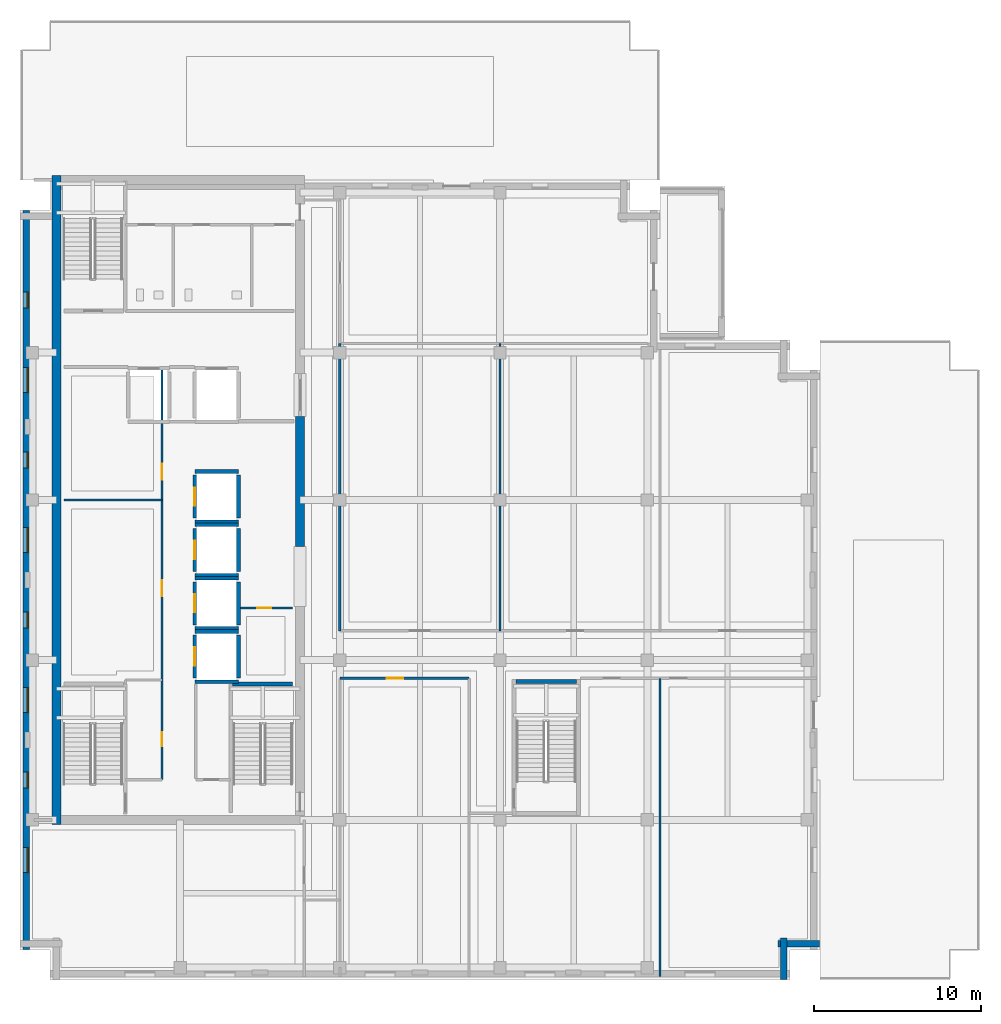
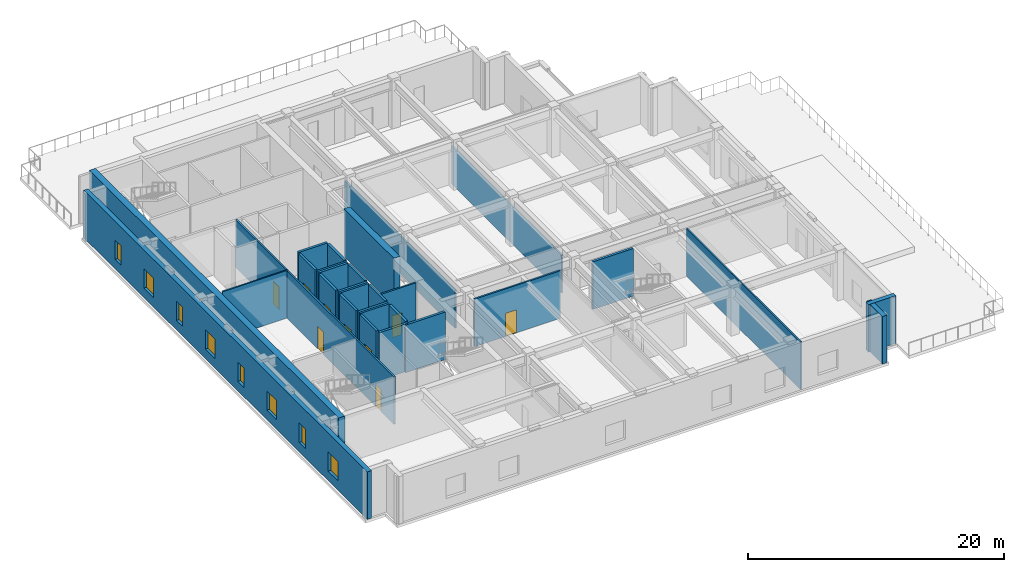
# One storey, part 4 of 11: 30 walls, 9 doors, 8 windows, 17 openings.
"""IFC4 building model written with IfcOpenShell, lengths in metres."""

from ifc_helpers import new_model, si_unit, direction, frame, frame_2d, origin, place, context, subcontext, project, spatial, rectangle, extrude, material, layer, layer_set, type_object, element, fill, save


model = new_model("IFC4")

# Units and contexts
model_context = context("Model", 3, precision=1e-05, world=origin(), true_north=direction((0.0, 1.0)))
body_context = subcontext(model_context, "Body", "Model", "MODEL_VIEW")
ifc_project = project(units=[si_unit("LENGTHUNIT", "METRE"), si_unit("AREAUNIT", "SQUARE_METRE"), si_unit("VOLUMEUNIT", "CUBIC_METRE"), si_unit("PLANEANGLEUNIT", "RADIAN"), si_unit("MASSUNIT", "GRAM", prefix="KILO")], contexts=[model_context])

# Site, building, storey
site_placement = place(None, origin())
site = spatial("IfcSite", under=ifc_project, at=site_placement, CompositionType="ELEMENT")
building_placement = place(site_placement, origin())
building = spatial("IfcBuilding", under=site, at=building_placement, Name="Norrvale University Quadrangle", CompositionType="ELEMENT")
storey_placement = place(building_placement, frame((0.0, 0.0, 261.0)))
storey = spatial("IfcBuildingStorey", under=building, at=storey_placement, Name="L66", CompositionType="ELEMENT", Elevation=261.0)

# Walls
ifc_material_1 = material(Name="Concrete C60/75", Category="concrete")
ifc_layer_1 = layer(ifc_material_1, 0.550048828125, Name="Concrete C60/75")
ifc_layer_set_1 = layer_set([ifc_layer_1], Name="Concrete C60/75")
wall_type_1 = type_object("IfcWallType", Name="Wall Core 550", PredefinedType="SHEAR", material=ifc_layer_set_1)
wall_1_placement = place(storey_placement, frame((2.199951171875, 9.324951171875, 0.0), z_axis=(0.0, 0.0, 1.0), x_axis=(0.0, 1.0, 0.0)))
element("IfcWall", 1, at=wall_1_placement, inside=storey, type_object=wall_type_1, Name="Tower Core Shear Wall L66-W", PredefinedType="SHEAR", context=body_context, shape_type="SweptSolid", body=[
    extrude(rectangle(XDim=38.949951171875, YDim=0.550048828125, at=frame_2d((19.47509765625, 0.0))), origin(), (0.0, 0.0, 1.0), 4.5400390625),
])
wall_2_placement = place(storey_placement, frame((16.800048828125, 26.0, 0.0), z_axis=(0.0, 0.0, 1.0), x_axis=(0.0, 1.0, 0.0)))
element("IfcWall", 2, at=wall_2_placement, inside=storey, type_object=wall_type_1, Name="Tower Core Shear Wall L66-E2", PredefinedType="SHEAR", context=body_context, shape_type="SweptSolid", body=[
    extrude(rectangle(XDim=7.800048828125, YDim=0.550048828125, at=frame_2d((3.89990234375, 0.0))), origin(), (0.0, 0.0, 1.0), 4.5400390625),
])
ifc_material_2 = material(Name="Standard Academic Gypsum Partition")
ifc_layer_2 = layer(ifc_material_2, 0.125, Name="Standard Academic Gypsum Partition")
ifc_layer_set_2 = layer_set([ifc_layer_2], Name="Standard Academic Gypsum Partition")
wall_type_2 = type_object("IfcWallType", Name="Wall Gypsum Academic 125", PredefinedType="PARTITIONING", material=ifc_layer_set_2)
wall_3_placement = place(storey_placement, frame((2.64990234375, 28.800048828125, 0.0), z_axis=(0.0, 0.0, 1.0), x_axis=(1.0, 0.0, 0.0)))
element("IfcWall", 3, at=wall_3_placement, inside=storey, type_object=wall_type_2, Name="Interior Partition WL-L66-REC-M2", PredefinedType="PARTITIONING", context=body_context, shape_type="SweptSolid", body=[
    extrude(rectangle(XDim=5.8701171875, YDim=0.125, at=frame_2d((2.93505859375, 0.0))), origin(), (0.0, 0.0, 1.0), 4.5400390625),
])
wall_4_placement = place(storey_placement, frame((38.39990234375, 0.219970703125, 0.0), z_axis=(0.0, 0.0, 1.0), x_axis=(0.0, 1.0, 0.0)))
element("IfcWall", 4, at=wall_4_placement, inside=storey, type_object=wall_type_2, Name="Interior Partition WL-L66-SEP2", PredefinedType="PARTITIONING", context=body_context, shape_type="SweptSolid", body=[
    extrude(rectangle(XDim=17.880126953125, YDim=0.125, at=frame_2d((8.93994140625, 0.0))), origin(), (0.0, 0.0, 1.0), 4.5400390625),
])
wall_5_placement = place(storey_placement, frame((28.800048828125, 20.949951171875, 0.0), z_axis=(0.0, 0.0, 1.0), x_axis=(0.0, 1.0, 0.0)))
element("IfcWall", 5, at=wall_5_placement, inside=storey, type_object=wall_type_2, Name="Interior Partition WL-L66-MEP01", PredefinedType="PARTITIONING", context=body_context, shape_type="SweptSolid", body=[
    extrude(rectangle(XDim=17.22998046875, YDim=0.125, at=frame_2d((8.614990234375, 0.0))), origin(), (0.0, 0.0, 1.0), 3.6279296875),
])

# Wall, opening, door
ifc_material_3 = material(Name="Fire-Rated Gypsum Stud Partition")
ifc_layer_3 = layer(ifc_material_3, 0.14990234375, Name="Fire-Rated Gypsum Stud Partition")
ifc_layer_set_3 = layer_set([ifc_layer_3], Name="Fire-Rated Gypsum Stud Partition")
wall_type_3 = type_object("IfcWallType", Name="Wall Gypsum Corridor 150", PredefinedType="PARTITIONING", material=ifc_layer_set_3)
wall_6_placement = place(storey_placement, frame((13.22509765625, 22.320068359375, 0.0), z_axis=(0.0, 0.0, 1.0), x_axis=(1.0, 0.0, 0.0)))
wall_6 = element("IfcWall", 6, at=wall_6_placement, inside=storey, type_object=wall_type_3, Name="Interior Partition WL-L66-JAN-N", PredefinedType="PARTITIONING", context=body_context, shape_type="SweptSolid", body=[
    extrude(rectangle(XDim=3.119873046875, YDim=0.14990234375, at=frame_2d((1.56005859375, 0.0))), origin(), (0.0, 0.0, 1.0), 4.5400390625),
])
opening_1_placement = place(wall_6_placement, frame((1.0, 0.0, 0.0)))
opening_1 = element("IfcOpeningElement", 7, at=opening_1_placement, cuts=wall_6, Name="Opening D10", PredefinedType="OPENING", context=body_context, shape_type="SweptSolid", body=[
    extrude(rectangle(XDim=0.85009765625, YDim=2.10009765625, at=frame_2d((0.425048828125, 1.050048828125))), frame((0.0, 0.0869140625, 0.0), z_axis=(0.0, -1.0, 0.0), x_axis=(1.0, 0.0, 0.0)), (0.0, 0.0, 1.0), 0.173828125),
])
ifc_material_4 = material(Name="Hollow Steel 350W Riser Fire Door", Category="steel")
door_type_1 = type_object("IfcDoorType", Name="Door Riser 850x2100", OperationType="NOTDEFINED", PredefinedType="DOOR", material=ifc_material_4)
door_1_placement = place(opening_1_placement, origin())
door_1 = element("IfcDoor", 8, at=door_1_placement, inside=storey, type_object=door_type_1, Name="Door Riser 850x2100 DR-L66-JAN", OperationType="SINGLE_SWING_LEFT", OverallHeight=2.10009765625, OverallWidth=0.85009765625, PredefinedType="DOOR", context=body_context, shape_type="SweptSolid", body=[
    extrude(rectangle(XDim=0.85009765625, YDim=2.10009765625, at=frame_2d((0.425048828125, 1.050048828125))), frame((0.0, 0.02490234375, 0.0), z_axis=(0.0, -1.0, 0.0), x_axis=(1.0, 0.0, 0.0)), (0.0, 0.0, 1.0), 0.050048828125),
])
fill(opening_1, door_1)

# Wall, openings, doors
wall_7_placement = place(storey_placement, frame((8.52001953125, 12.02001953125, 0.0), z_axis=(0.0, 0.0, 1.0), x_axis=(0.0, 1.0, 0.0)))
wall_7 = element("IfcWall", 9, at=wall_7_placement, inside=storey, type_object=wall_type_3, Name="Interior Partition WL-L66-REC-E", PredefinedType="PARTITIONING", context=body_context, shape_type="SweptSolid", body=[
    extrude(rectangle(XDim=24.760009765625, YDim=0.14990234375, at=frame_2d((12.3798828125, 0.0))), origin(), (0.0, 0.0, 1.0), 4.5400390625),
])
opening_2_placement = place(wall_7_placement, frame((2.0, 0.0, 0.0)))
opening_2 = element("IfcOpeningElement", 10, at=opening_2_placement, cuts=wall_7, Name="Opening D10", PredefinedType="OPENING", context=body_context, shape_type="SweptSolid", body=[
    extrude(rectangle(XDim=0.85009765625, YDim=2.10009765625, at=frame_2d((0.425048828125, 1.050048828125))), frame((0.0, 0.0869140625, 0.0), z_axis=(0.0, -1.0, 0.0), x_axis=(1.0, 0.0, 0.0)), (0.0, 0.0, 1.0), 0.173828125),
])
opening_3_placement = place(wall_7_placement, frame((11.0, 0.0, 0.0)))
opening_3 = element("IfcOpeningElement", 11, at=opening_3_placement, cuts=wall_7, Name="Opening D07", PredefinedType="OPENING", context=body_context, shape_type="SweptSolid", body=[
    extrude(rectangle(XDim=0.949951171875, YDim=2.14990234375, at=frame_2d((0.47509765625, 1.074951171875))), frame((0.0, 0.0869140625, 0.0), z_axis=(0.0, -1.0, 0.0), x_axis=(1.0, 0.0, 0.0)), (0.0, 0.0, 1.0), 0.173828125),
])
opening_4_placement = place(wall_7_placement, frame((18.0, 0.0, 0.0)))
opening_4 = element("IfcOpeningElement", 12, at=opening_4_placement, cuts=wall_7, Name="Opening D07", PredefinedType="OPENING", context=body_context, shape_type="SweptSolid", body=[
    extrude(rectangle(XDim=0.949951171875, YDim=2.14990234375, at=frame_2d((0.47509765625, 1.074951171875))), frame((0.0, 0.0869140625, 0.0), z_axis=(0.0, -1.0, 0.0), x_axis=(1.0, 0.0, 0.0)), (0.0, 0.0, 1.0), 0.173828125),
])
ifc_material_5 = material(Name="Solid-Core Maple Door", Category="wood")
door_type_2 = type_object("IfcDoorType", Name="Door Office 950x2150", OperationType="NOTDEFINED", PredefinedType="DOOR", material=ifc_material_5)
door_2_placement = place(opening_3_placement, origin())
door_2 = element("IfcDoor", 13, at=door_2_placement, inside=storey, type_object=door_type_2, Name="Door Office 950x2150 DR-L66-REC2", OperationType="SINGLE_SWING_RIGHT", OverallHeight=2.14990234375, OverallWidth=0.949951171875, PredefinedType="DOOR", context=body_context, shape_type="SweptSolid", body=[
    extrude(rectangle(XDim=0.949951171875, YDim=2.14990234375, at=frame_2d((0.47509765625, 1.074951171875))), frame((0.0, 0.02490234375, 0.0), z_axis=(0.0, -1.0, 0.0), x_axis=(1.0, 0.0, 0.0)), (0.0, 0.0, 1.0), 0.050048828125),
])
fill(opening_3, door_2)
door_3_placement = place(opening_4_placement, origin())
door_3 = element("IfcDoor", 14, at=door_3_placement, inside=storey, type_object=door_type_2, Name="Door Office 950x2150 DR-L66-REC3", OperationType="SINGLE_SWING_LEFT", OverallHeight=2.14990234375, OverallWidth=0.949951171875, PredefinedType="DOOR", context=body_context, shape_type="SweptSolid", body=[
    extrude(rectangle(XDim=0.949951171875, YDim=2.14990234375, at=frame_2d((0.47509765625, 1.074951171875))), frame((0.0, 0.02490234375, 0.0), z_axis=(0.0, -1.0, 0.0), x_axis=(1.0, 0.0, 0.0)), (0.0, 0.0, 1.0), 0.050048828125),
])
fill(opening_4, door_3)
door_4_placement = place(opening_2_placement, origin())
door_4 = element("IfcDoor", 15, at=door_4_placement, inside=storey, type_object=door_type_1, Name="Door Riser 850x2100 DR-L66-REC1", OperationType="SINGLE_SWING_LEFT", OverallHeight=2.10009765625, OverallWidth=0.85009765625, PredefinedType="DOOR", context=body_context, shape_type="SweptSolid", body=[
    extrude(rectangle(XDim=0.85009765625, YDim=2.10009765625, at=frame_2d((0.425048828125, 1.050048828125))), frame((0.0, 0.02490234375, 0.0), z_axis=(0.0, -1.0, 0.0), x_axis=(1.0, 0.0, 0.0)), (0.0, 0.0, 1.0), 0.050048828125),
])
fill(opening_2, door_4)

# Wall, opening, door
wall_8_placement = place(storey_placement, frame((19.199951171875, 18.10009765625, 0.0), z_axis=(0.0, 0.0, 1.0), x_axis=(1.0, 0.0, 0.0)))
wall_8 = element("IfcWall", 16, at=wall_8_placement, inside=storey, type_object=wall_type_3, Name="Interior Partition WL-L66-SEW1", PredefinedType="PARTITIONING", context=body_context, shape_type="SweptSolid", body=[
    extrude(rectangle(XDim=7.75, YDim=0.14990234375, at=frame_2d((3.875, 0.0))), origin(), (0.0, 0.0, 1.0), 4.5400390625),
])
opening_5_placement = place(wall_8_placement, frame((2.800048828125, 0.0, 0.0)))
opening_5 = element("IfcOpeningElement", 17, at=opening_5_placement, cuts=wall_8, Name="Opening D04", PredefinedType="OPENING", context=body_context, shape_type="SweptSolid", body=[
    extrude(rectangle(XDim=1.0, YDim=2.199951171875, at=frame_2d((0.5, 1.10009765625))), frame((0.0, 0.0869140625, 0.0), z_axis=(0.0, -1.0, 0.0), x_axis=(1.0, 0.0, 0.0)), (0.0, 0.0, 1.0), 0.173828125),
])
ifc_material_6 = material(Name="Solid-Core Oak Fire Door", Category="wood")
door_type_3 = type_object("IfcDoorType", Name="Door Corridor 1000x2200", OperationType="NOTDEFINED", PredefinedType="DOOR", material=ifc_material_6)
door_5_placement = place(opening_5_placement, origin())
door_5 = element("IfcDoor", 18, at=door_5_placement, inside=storey, type_object=door_type_3, Name="Door Corridor 1000x2200 DR-L66-SE1", OperationType="SINGLE_SWING_LEFT", OverallHeight=2.199951171875, OverallWidth=1.0, PredefinedType="DOOR", context=body_context, shape_type="SweptSolid", body=[
    extrude(rectangle(XDim=1.0, YDim=2.199951171875, at=frame_2d((0.5, 1.10009765625))), frame((0.0, 0.02490234375, 0.0), z_axis=(0.0, -1.0, 0.0), x_axis=(1.0, 0.0, 0.0)), (0.0, 0.0, 1.0), 0.050048828125),
])
fill(opening_5, door_5)

# Walls
wall_9_placement = place(storey_placement, frame((19.199951171875, 20.949951171875, 0.0), z_axis=(0.0, 0.0, 1.0), x_axis=(0.0, 1.0, 0.0)))
element("IfcWall", 19, at=wall_9_placement, inside=storey, type_object=wall_type_3, Name="Interior Partition WL-L66-ME-W", PredefinedType="PARTITIONING", context=body_context, shape_type="SweptSolid", body=[
    extrude(rectangle(XDim=17.22998046875, YDim=0.14990234375, at=frame_2d((8.614990234375, 0.0))), origin(), (0.0, 0.0, 1.0), 3.6279296875),
])
ifc_material_7 = material(Name="Red Manganese Brick Masonry", Category="masonry")
ifc_layer_4 = layer(ifc_material_7, 0.39990234375, Name="Red Manganese Brick Masonry")
ifc_layer_set_4 = layer_set([ifc_layer_4], Name="Red Manganese Brick Masonry")
wall_type_4 = type_object("IfcWallType", Name="Wall Red Brick 400", PredefinedType="SOLIDWALL", material=ifc_layer_set_4)
for number, where, z_axis, x_axis, name in (
    (20, (45.820068359375, 0.0400390625, 0.0), (0.0, 0.0, 1.0), (0.0, 1.0, 0.0), "Exterior Brick Facade Wall L66-02.1"),
    (21, (45.47998046875, 2.179931640625, 0.0), (0.0, 0.0, 1.0), (1.0, 0.0, 0.0), "Exterior Brick Facade Wall L66-03.1"),
):
    element("IfcWall", number, at=place(storey_placement, frame(where, z_axis=z_axis, x_axis=x_axis)), inside=storey, type_object=wall_type_4, Name=name, PredefinedType="SOLIDWALL", context=body_context, shape_type="SweptSolid", body=[
        extrude(rectangle(XDim=2.47998046875, YDim=0.39990234375, at=frame_2d((1.239990234375, 0.0))), origin(), (0.0, 0.0, 1.0), 4.5400390625),
    ])

# Wall, openings, windows
wall_10_placement = place(storey_placement, frame((0.3798828125, 46.159912109375, 0.0), z_axis=(0.0, 0.0, 1.0), x_axis=(0.0, -1.0, 0.0)))
wall_10 = element("IfcWall", 22, at=wall_10_placement, inside=storey, type_object=wall_type_4, Name="Exterior Brick Facade Wall L66-14.1", PredefinedType="SOLIDWALL", context=body_context, shape_type="SweptSolid", body=[
    extrude(rectangle(XDim=44.31982421875, YDim=0.39990234375, at=frame_2d((22.159912109375, 0.0))), origin(), (0.0, 0.0, 1.0), 4.5400390625),
])
opening_6_placement = place(wall_10_placement, frame((4.885009765625, 0.0, 0.89990234375)))
opening_6 = element("IfcOpeningElement", 23, at=opening_6_placement, cuts=wall_10, Name="Opening W04", PredefinedType="OPENING", context=body_context, shape_type="SweptSolid", body=[
    extrude(rectangle(XDim=0.949951171875, YDim=1.85009765625, at=frame_2d((0.47509765625, 0.925048828125))), frame((0.0, 0.2119140625, 0.0), z_axis=(0.0, -1.0, 0.0), x_axis=(1.0, 0.0, 0.0)), (0.0, 0.0, 1.0), 0.423828125),
])
opening_7_placement = place(wall_10_placement, frame((9.409912109375, 0.0, 0.89990234375)))
opening_7 = element("IfcOpeningElement", 24, at=opening_7_placement, cuts=wall_10, Name="Opening W03", PredefinedType="OPENING", context=body_context, shape_type="SweptSolid", body=[
    extrude(rectangle(XDim=1.5, YDim=1.85009765625, at=frame_2d((0.75, 0.925048828125))), frame((0.0, 0.2119140625, 0.0), z_axis=(0.0, -1.0, 0.0), x_axis=(1.0, 0.0, 0.0)), (0.0, 0.0, 1.0), 0.423828125),
])
opening_8_placement = place(wall_10_placement, frame((14.485107421875, 0.0, 0.89990234375)))
opening_8 = element("IfcOpeningElement", 25, at=opening_8_placement, cuts=wall_10, Name="Opening W04", PredefinedType="OPENING", context=body_context, shape_type="SweptSolid", body=[
    extrude(rectangle(XDim=0.949951171875, YDim=1.85009765625, at=frame_2d((0.47509765625, 0.925048828125))), frame((0.0, 0.2119140625, 0.0), z_axis=(0.0, -1.0, 0.0), x_axis=(1.0, 0.0, 0.0)), (0.0, 0.0, 1.0), 0.423828125),
])
opening_9_placement = place(wall_10_placement, frame((19.010009765625, 0.0, 0.89990234375)))
opening_9 = element("IfcOpeningElement", 26, at=opening_9_placement, cuts=wall_10, Name="Opening W03", PredefinedType="OPENING", context=body_context, shape_type="SweptSolid", body=[
    extrude(rectangle(XDim=1.5, YDim=1.85009765625, at=frame_2d((0.75, 0.925048828125))), frame((0.0, 0.2119140625, 0.0), z_axis=(0.0, -1.0, 0.0), x_axis=(1.0, 0.0, 0.0)), (0.0, 0.0, 1.0), 0.423828125),
])
opening_10_placement = place(wall_10_placement, frame((24.0849609375, 0.0, 0.89990234375)))
opening_10 = element("IfcOpeningElement", 27, at=opening_10_placement, cuts=wall_10, Name="Opening W04", PredefinedType="OPENING", context=body_context, shape_type="SweptSolid", body=[
    extrude(rectangle(XDim=0.949951171875, YDim=1.85009765625, at=frame_2d((0.47509765625, 0.925048828125))), frame((0.0, 0.2119140625, 0.0), z_axis=(0.0, -1.0, 0.0), x_axis=(1.0, 0.0, 0.0)), (0.0, 0.0, 1.0), 0.423828125),
])
opening_11_placement = place(wall_10_placement, frame((28.610107421875, 0.0, 0.89990234375)))
opening_11 = element("IfcOpeningElement", 28, at=opening_11_placement, cuts=wall_10, Name="Opening W03", PredefinedType="OPENING", context=body_context, shape_type="SweptSolid", body=[
    extrude(rectangle(XDim=1.5, YDim=1.85009765625, at=frame_2d((0.75, 0.925048828125))), frame((0.0, 0.2119140625, 0.0), z_axis=(0.0, -1.0, 0.0), x_axis=(1.0, 0.0, 0.0)), (0.0, 0.0, 1.0), 0.423828125),
])
opening_12_placement = place(wall_10_placement, frame((33.68505859375, 0.0, 0.89990234375)))
opening_12 = element("IfcOpeningElement", 29, at=opening_12_placement, cuts=wall_10, Name="Opening W04", PredefinedType="OPENING", context=body_context, shape_type="SweptSolid", body=[
    extrude(rectangle(XDim=0.949951171875, YDim=1.85009765625, at=frame_2d((0.47509765625, 0.925048828125))), frame((0.0, 0.2119140625, 0.0), z_axis=(0.0, -1.0, 0.0), x_axis=(1.0, 0.0, 0.0)), (0.0, 0.0, 1.0), 0.423828125),
])
opening_13_placement = place(wall_10_placement, frame((38.2099609375, 0.0, 0.89990234375)))
opening_13 = element("IfcOpeningElement", 30, at=opening_13_placement, cuts=wall_10, Name="Opening W03", PredefinedType="OPENING", context=body_context, shape_type="SweptSolid", body=[
    extrude(rectangle(XDim=1.5, YDim=1.85009765625, at=frame_2d((0.75, 0.925048828125))), frame((0.0, 0.2119140625, 0.0), z_axis=(0.0, -1.0, 0.0), x_axis=(1.0, 0.0, 0.0)), (0.0, 0.0, 1.0), 0.423828125),
])
ifc_material_8 = material(Name="Triple Low-E Argon Glazing", Category="glass")
window_type_1 = type_object("IfcWindowType", Name="Window Narrow Pier 950x2300", PartitioningType="SINGLE_PANEL", PredefinedType="WINDOW", material=ifc_material_8)
window_1_placement = place(opening_6_placement, origin())
window_1 = element("IfcWindow", 31, at=window_1_placement, inside=storey, type_object=window_type_1, Name="Window Narrow Pier 950x2300 WIN-L66-E14-1-01", OverallHeight=1.85009765625, OverallWidth=0.949951171875, PartitioningType="SINGLE_PANEL", PredefinedType="WINDOW", context=body_context, shape_type="SweptSolid", body=[
    extrude(rectangle(XDim=0.949951171875, YDim=1.85009765625, at=frame_2d((0.47509765625, 0.925048828125))), frame((0.0, 0.110107421875, 0.0), z_axis=(0.0, -1.0, 0.0), x_axis=(1.0, 0.0, 0.0)), (0.0, 0.0, 1.0), 0.06005859375),
])
fill(opening_6, window_1)
window_2_placement = place(opening_8_placement, origin())
window_2 = element("IfcWindow", 32, at=window_2_placement, inside=storey, type_object=window_type_1, Name="Window Narrow Pier 950x2300 WIN-L66-E14-1-03", OverallHeight=1.85009765625, OverallWidth=0.949951171875, PartitioningType="SINGLE_PANEL", PredefinedType="WINDOW", context=body_context, shape_type="SweptSolid", body=[
    extrude(rectangle(XDim=0.949951171875, YDim=1.85009765625, at=frame_2d((0.47509765625, 0.925048828125))), frame((0.0, 0.110107421875, 0.0), z_axis=(0.0, -1.0, 0.0), x_axis=(1.0, 0.0, 0.0)), (0.0, 0.0, 1.0), 0.06005859375),
])
fill(opening_8, window_2)
window_3_placement = place(opening_10_placement, origin())
window_3 = element("IfcWindow", 33, at=window_3_placement, inside=storey, type_object=window_type_1, Name="Window Narrow Pier 950x2300 WIN-L66-E14-1-05", OverallHeight=1.85009765625, OverallWidth=0.949951171875, PartitioningType="SINGLE_PANEL", PredefinedType="WINDOW", context=body_context, shape_type="SweptSolid", body=[
    extrude(rectangle(XDim=0.949951171875, YDim=1.85009765625, at=frame_2d((0.47509765625, 0.925048828125))), frame((0.0, 0.110107421875, 0.0), z_axis=(0.0, -1.0, 0.0), x_axis=(1.0, 0.0, 0.0)), (0.0, 0.0, 1.0), 0.06005859375),
])
fill(opening_10, window_3)
window_4_placement = place(opening_12_placement, origin())
window_4 = element("IfcWindow", 34, at=window_4_placement, inside=storey, type_object=window_type_1, Name="Window Narrow Pier 950x2300 WIN-L66-E14-1-07", OverallHeight=1.85009765625, OverallWidth=0.949951171875, PartitioningType="SINGLE_PANEL", PredefinedType="WINDOW", context=body_context, shape_type="SweptSolid", body=[
    extrude(rectangle(XDim=0.949951171875, YDim=1.85009765625, at=frame_2d((0.47509765625, 0.925048828125))), frame((0.0, 0.110107421875, 0.0), z_axis=(0.0, -1.0, 0.0), x_axis=(1.0, 0.0, 0.0)), (0.0, 0.0, 1.0), 0.06005859375),
])
fill(opening_12, window_4)
window_type_2 = type_object("IfcWindowType", Name="Window Studio 1500x2300", PartitioningType="DOUBLE_PANEL_VERTICAL", PredefinedType="WINDOW", material=ifc_material_8)
window_5_placement = place(opening_7_placement, origin())
window_5 = element("IfcWindow", 35, at=window_5_placement, inside=storey, type_object=window_type_2, Name="Window Studio 1500x2300 WIN-L66-E14-1-02", OverallHeight=1.85009765625, OverallWidth=1.5, PartitioningType="DOUBLE_PANEL_VERTICAL", PredefinedType="WINDOW", context=body_context, shape_type="SweptSolid", body=[
    extrude(rectangle(XDim=1.5, YDim=1.85009765625, at=frame_2d((0.75, 0.925048828125))), frame((0.0, 0.110107421875, 0.0), z_axis=(0.0, -1.0, 0.0), x_axis=(1.0, 0.0, 0.0)), (0.0, 0.0, 1.0), 0.06005859375),
])
fill(opening_7, window_5)
window_6_placement = place(opening_9_placement, origin())
window_6 = element("IfcWindow", 36, at=window_6_placement, inside=storey, type_object=window_type_2, Name="Window Studio 1500x2300 WIN-L66-E14-1-04", OverallHeight=1.85009765625, OverallWidth=1.5, PartitioningType="DOUBLE_PANEL_VERTICAL", PredefinedType="WINDOW", context=body_context, shape_type="SweptSolid", body=[
    extrude(rectangle(XDim=1.5, YDim=1.85009765625, at=frame_2d((0.75, 0.925048828125))), frame((0.0, 0.110107421875, 0.0), z_axis=(0.0, -1.0, 0.0), x_axis=(1.0, 0.0, 0.0)), (0.0, 0.0, 1.0), 0.06005859375),
])
fill(opening_9, window_6)
window_7_placement = place(opening_11_placement, origin())
window_7 = element("IfcWindow", 37, at=window_7_placement, inside=storey, type_object=window_type_2, Name="Window Studio 1500x2300 WIN-L66-E14-1-06", OverallHeight=1.85009765625, OverallWidth=1.5, PartitioningType="DOUBLE_PANEL_VERTICAL", PredefinedType="WINDOW", context=body_context, shape_type="SweptSolid", body=[
    extrude(rectangle(XDim=1.5, YDim=1.85009765625, at=frame_2d((0.75, 0.925048828125))), frame((0.0, 0.110107421875, 0.0), z_axis=(0.0, -1.0, 0.0), x_axis=(1.0, 0.0, 0.0)), (0.0, 0.0, 1.0), 0.06005859375),
])
fill(opening_11, window_7)
window_8_placement = place(opening_13_placement, origin())
window_8 = element("IfcWindow", 38, at=window_8_placement, inside=storey, type_object=window_type_2, Name="Window Studio 1500x2300 WIN-L66-E14-1-08", OverallHeight=1.85009765625, OverallWidth=1.5, PartitioningType="DOUBLE_PANEL_VERTICAL", PredefinedType="WINDOW", context=body_context, shape_type="SweptSolid", body=[
    extrude(rectangle(XDim=1.5, YDim=1.85009765625, at=frame_2d((0.75, 0.925048828125))), frame((0.0, 0.110107421875, 0.0), z_axis=(0.0, -1.0, 0.0), x_axis=(1.0, 0.0, 0.0)), (0.0, 0.0, 1.0), 0.06005859375),
])
fill(opening_13, window_8)

# Walls
ifc_material_9 = material(Name="Concrete Blockwork 20 MPa Fire Shaft", Category="masonry")
ifc_layer_5 = layer(ifc_material_9, 0.219970703125, Name="Concrete Blockwork 20 MPa Fire Shaft")
ifc_layer_set_5 = layer_set([ifc_layer_5], Name="Concrete Blockwork 20 MPa Fire Shaft")
wall_type_5 = type_object("IfcWallType", Name="Wall Shaft 220", PredefinedType="SOLIDWALL", material=ifc_layer_set_5)
wall_11_placement = place(storey_placement, frame((12.75, 17.760009765625, 0.0), z_axis=(0.0, 0.0, 1.0), x_axis=(1.0, 0.0, 0.0)))
element("IfcWall", 39, at=wall_11_placement, inside=storey, type_object=wall_type_5, Name="Stair ST-03 North Shaft Wall L66", PredefinedType="SOLIDWALL", context=body_context, shape_type="SweptSolid", body=[
    extrude(rectangle(XDim=3.60009765625, YDim=0.219970703125, at=frame_2d((1.800048828125, 0.0))), origin(), (0.0, 0.0, 1.0), 4.5400390625),
])
wall_12_placement = place(storey_placement, frame((29.75, 17.909912109375, 0.0), z_axis=(0.0, 0.0, 1.0), x_axis=(1.0, 0.0, 0.0)))
element("IfcWall", 40, at=wall_12_placement, inside=storey, type_object=wall_type_5, Name="Stair ST-04 North Shaft Wall L66", PredefinedType="SOLIDWALL", context=body_context, shape_type="SweptSolid", body=[
    extrude(rectangle(XDim=3.64990234375, YDim=0.219970703125, at=frame_2d((1.824951171875, 0.0))), origin(), (0.0, 0.0, 1.0), 4.5400390625),
])

# Wall, opening, door
wall_13_placement = place(storey_placement, frame((10.489990234375, 18.110107421875, 0.0), z_axis=(0.0, 0.0, 1.0), x_axis=(0.0, 1.0, 0.0)))
wall_13 = element("IfcWall", 41, at=wall_13_placement, inside=storey, type_object=wall_type_5, Name="Hoistway PL-05 West Wall L66", PredefinedType="SOLIDWALL", context=body_context, shape_type="SweptSolid", body=[
    extrude(rectangle(XDim=2.579833984375, YDim=0.219970703125, at=frame_2d((1.2900390625, 0.0))), origin(), (0.0, 0.0, 1.0), 4.5400390625),
])
opening_14_placement = place(wall_13_placement, frame((0.739990234375, 0.0, 0.0)))
opening_14 = element("IfcOpeningElement", 42, at=opening_14_placement, cuts=wall_13, Name="Opening LD1", PredefinedType="OPENING", context=body_context, shape_type="SweptSolid", body=[
    extrude(rectangle(XDim=1.10009765625, YDim=2.199951171875, at=frame_2d((0.550048828125, 1.10009765625))), frame((0.0, 0.1220703125, 0.0), z_axis=(0.0, -1.0, 0.0), x_axis=(1.0, 0.0, 0.0)), (0.0, 0.0, 1.0), 0.243896484375),
])
ifc_material_10 = material(Name="Stainless Steel 316L Lift Landing Door", Category="steel")
door_type_4 = type_object("IfcDoorType", Name="Door Lift Landing 1100x2200", OperationType="DOUBLE_DOOR_SLIDING", PredefinedType="DOOR", material=ifc_material_10)
door_6_placement = place(opening_14_placement, origin())
door_6 = element("IfcDoor", 43, at=door_6_placement, inside=storey, type_object=door_type_4, Name="Elevator Landing Door DR-L66-PL-05", OperationType="DOUBLE_DOOR_SLIDING", OverallHeight=2.199951171875, OverallWidth=1.10009765625, PredefinedType="DOOR", context=body_context, shape_type="SweptSolid", body=[
    extrude(rectangle(XDim=1.10009765625, YDim=2.199951171875, at=frame_2d((0.550048828125, 1.10009765625))), frame((0.0, 0.02490234375, 0.0), z_axis=(0.0, -1.0, 0.0), x_axis=(1.0, 0.0, 0.0)), (0.0, 0.0, 1.0), 0.050048828125),
])
fill(opening_14, door_6)

# Walls
wall_14_placement = place(storey_placement, frame((13.110107421875, 18.110107421875, 0.0), z_axis=(0.0, 0.0, 1.0), x_axis=(0.0, 1.0, 0.0)))
element("IfcWall", 44, at=wall_14_placement, inside=storey, type_object=wall_type_5, Name="Hoistway PL-05 East Wall L66", PredefinedType="SOLIDWALL", context=body_context, shape_type="SweptSolid", body=[
    extrude(rectangle(XDim=2.579833984375, YDim=0.219970703125, at=frame_2d((1.2900390625, 0.0))), origin(), (0.0, 0.0, 1.0), 4.5400390625),
])
for number, where, z_axis, x_axis, name in (
    (45, (10.489990234375, 17.889892578125, 0.0), (0.0, 0.0, 1.0), (1.0, 0.0, 0.0), "Hoistway PL-05 South Wall L66"),
    (46, (10.489990234375, 20.909912109375, 0.0), (0.0, 0.0, 1.0), (1.0, 0.0, 0.0), "Hoistway PL-05 North Wall L66"),
):
    element("IfcWall", number, at=place(storey_placement, frame(where, z_axis=z_axis, x_axis=x_axis)), inside=storey, type_object=wall_type_5, Name=name, PredefinedType="SOLIDWALL", context=body_context, shape_type="SweptSolid", body=[
        extrude(rectangle(XDim=2.6201171875, YDim=0.219970703125, at=frame_2d((1.31005859375, 0.0))), origin(), (0.0, 0.0, 1.0), 4.5400390625),
    ])

# Wall, opening, door
wall_15_placement = place(storey_placement, frame((10.489990234375, 21.31005859375, 0.0), z_axis=(0.0, 0.0, 1.0), x_axis=(0.0, 1.0, 0.0)))
wall_15 = element("IfcWall", 47, at=wall_15_placement, inside=storey, type_object=wall_type_5, Name="Hoistway PL-06 West Wall L66", PredefinedType="SOLIDWALL", context=body_context, shape_type="SweptSolid", body=[
    extrude(rectangle(XDim=2.579833984375, YDim=0.219970703125, at=frame_2d((1.2900390625, 0.0))), origin(), (0.0, 0.0, 1.0), 4.5400390625),
])
opening_15_placement = place(wall_15_placement, frame((0.739990234375, 0.0, 0.0)))
opening_15 = element("IfcOpeningElement", 48, at=opening_15_placement, cuts=wall_15, Name="Opening LD1", PredefinedType="OPENING", context=body_context, shape_type="SweptSolid", body=[
    extrude(rectangle(XDim=1.10009765625, YDim=2.199951171875, at=frame_2d((0.550048828125, 1.10009765625))), frame((0.0, 0.1220703125, 0.0), z_axis=(0.0, -1.0, 0.0), x_axis=(1.0, 0.0, 0.0)), (0.0, 0.0, 1.0), 0.243896484375),
])
door_7_placement = place(opening_15_placement, origin())
door_7 = element("IfcDoor", 49, at=door_7_placement, inside=storey, type_object=door_type_4, Name="Elevator Landing Door DR-L66-PL-06", OperationType="DOUBLE_DOOR_SLIDING", OverallHeight=2.199951171875, OverallWidth=1.10009765625, PredefinedType="DOOR", context=body_context, shape_type="SweptSolid", body=[
    extrude(rectangle(XDim=1.10009765625, YDim=2.199951171875, at=frame_2d((0.550048828125, 1.10009765625))), frame((0.0, 0.02490234375, 0.0), z_axis=(0.0, -1.0, 0.0), x_axis=(1.0, 0.0, 0.0)), (0.0, 0.0, 1.0), 0.050048828125),
])
fill(opening_15, door_7)

# Walls
wall_16_placement = place(storey_placement, frame((13.110107421875, 21.31005859375, 0.0), z_axis=(0.0, 0.0, 1.0), x_axis=(0.0, 1.0, 0.0)))
element("IfcWall", 50, at=wall_16_placement, inside=storey, type_object=wall_type_5, Name="Hoistway PL-06 East Wall L66", PredefinedType="SOLIDWALL", context=body_context, shape_type="SweptSolid", body=[
    extrude(rectangle(XDim=2.579833984375, YDim=0.219970703125, at=frame_2d((1.2900390625, 0.0))), origin(), (0.0, 0.0, 1.0), 4.5400390625),
])
for number, where, z_axis, x_axis, name in (
    (51, (10.489990234375, 21.090087890625, 0.0), (0.0, 0.0, 1.0), (1.0, 0.0, 0.0), "Hoistway PL-06 South Wall L66"),
    (52, (10.489990234375, 24.110107421875, 0.0), (0.0, 0.0, 1.0), (1.0, 0.0, 0.0), "Hoistway PL-06 North Wall L66"),
):
    element("IfcWall", number, at=place(storey_placement, frame(where, z_axis=z_axis, x_axis=x_axis)), inside=storey, type_object=wall_type_5, Name=name, PredefinedType="SOLIDWALL", context=body_context, shape_type="SweptSolid", body=[
        extrude(rectangle(XDim=2.6201171875, YDim=0.219970703125, at=frame_2d((1.31005859375, 0.0))), origin(), (0.0, 0.0, 1.0), 4.5400390625),
    ])

# Wall, opening, door
wall_17_placement = place(storey_placement, frame((10.489990234375, 24.510009765625, 0.0), z_axis=(0.0, 0.0, 1.0), x_axis=(0.0, 1.0, 0.0)))
wall_17 = element("IfcWall", 53, at=wall_17_placement, inside=storey, type_object=wall_type_5, Name="Hoistway PL-07 West Wall L66", PredefinedType="SOLIDWALL", context=body_context, shape_type="SweptSolid", body=[
    extrude(rectangle(XDim=2.580078125, YDim=0.219970703125, at=frame_2d((1.2900390625, 0.0))), origin(), (0.0, 0.0, 1.0), 4.5400390625),
])
opening_16_placement = place(wall_17_placement, frame((0.739990234375, 0.0, 0.0)))
opening_16 = element("IfcOpeningElement", 54, at=opening_16_placement, cuts=wall_17, Name="Opening LD1", PredefinedType="OPENING", context=body_context, shape_type="SweptSolid", body=[
    extrude(rectangle(XDim=1.10009765625, YDim=2.199951171875, at=frame_2d((0.550048828125, 1.10009765625))), frame((0.0, 0.1220703125, 0.0), z_axis=(0.0, -1.0, 0.0), x_axis=(1.0, 0.0, 0.0)), (0.0, 0.0, 1.0), 0.243896484375),
])
door_8_placement = place(opening_16_placement, origin())
door_8 = element("IfcDoor", 55, at=door_8_placement, inside=storey, type_object=door_type_4, Name="Elevator Landing Door DR-L66-PL-07", OperationType="DOUBLE_DOOR_SLIDING", OverallHeight=2.199951171875, OverallWidth=1.10009765625, PredefinedType="DOOR", context=body_context, shape_type="SweptSolid", body=[
    extrude(rectangle(XDim=1.10009765625, YDim=2.199951171875, at=frame_2d((0.550048828125, 1.10009765625))), frame((0.0, 0.02490234375, 0.0), z_axis=(0.0, -1.0, 0.0), x_axis=(1.0, 0.0, 0.0)), (0.0, 0.0, 1.0), 0.050048828125),
])
fill(opening_16, door_8)

# Walls
wall_18_placement = place(storey_placement, frame((13.110107421875, 24.510009765625, 0.0), z_axis=(0.0, 0.0, 1.0), x_axis=(0.0, 1.0, 0.0)))
element("IfcWall", 56, at=wall_18_placement, inside=storey, type_object=wall_type_5, Name="Hoistway PL-07 East Wall L66", PredefinedType="SOLIDWALL", context=body_context, shape_type="SweptSolid", body=[
    extrude(rectangle(XDim=2.580078125, YDim=0.219970703125, at=frame_2d((1.2900390625, 0.0))), origin(), (0.0, 0.0, 1.0), 4.5400390625),
])
for number, where, z_axis, x_axis, name in (
    (57, (10.489990234375, 24.2900390625, 0.0), (0.0, 0.0, 1.0), (1.0, 0.0, 0.0), "Hoistway PL-07 South Wall L66"),
    (58, (10.489990234375, 27.31005859375, 0.0), (0.0, 0.0, 1.0), (1.0, 0.0, 0.0), "Hoistway PL-07 North Wall L66"),
):
    element("IfcWall", number, at=place(storey_placement, frame(where, z_axis=z_axis, x_axis=x_axis)), inside=storey, type_object=wall_type_5, Name=name, PredefinedType="SOLIDWALL", context=body_context, shape_type="SweptSolid", body=[
        extrude(rectangle(XDim=2.6201171875, YDim=0.219970703125, at=frame_2d((1.31005859375, 0.0))), origin(), (0.0, 0.0, 1.0), 4.5400390625),
    ])

# Wall, opening, door
wall_19_placement = place(storey_placement, frame((10.489990234375, 27.7099609375, 0.0), z_axis=(0.0, 0.0, 1.0), x_axis=(0.0, 1.0, 0.0)))
wall_19 = element("IfcWall", 59, at=wall_19_placement, inside=storey, type_object=wall_type_5, Name="Hoistway PL-08 West Wall L66", PredefinedType="SOLIDWALL", context=body_context, shape_type="SweptSolid", body=[
    extrude(rectangle(XDim=2.580078125, YDim=0.219970703125, at=frame_2d((1.2900390625, 0.0))), origin(), (0.0, 0.0, 1.0), 4.5400390625),
])
opening_17_placement = place(wall_19_placement, frame((0.739990234375, 0.0, 0.0)))
opening_17 = element("IfcOpeningElement", 60, at=opening_17_placement, cuts=wall_19, Name="Opening LD1", PredefinedType="OPENING", context=body_context, shape_type="SweptSolid", body=[
    extrude(rectangle(XDim=1.10009765625, YDim=2.199951171875, at=frame_2d((0.550048828125, 1.10009765625))), frame((0.0, 0.1220703125, 0.0), z_axis=(0.0, -1.0, 0.0), x_axis=(1.0, 0.0, 0.0)), (0.0, 0.0, 1.0), 0.243896484375),
])
door_9_placement = place(opening_17_placement, origin())
door_9 = element("IfcDoor", 61, at=door_9_placement, inside=storey, type_object=door_type_4, Name="Elevator Landing Door DR-L66-PL-08", OperationType="DOUBLE_DOOR_SLIDING", OverallHeight=2.199951171875, OverallWidth=1.10009765625, PredefinedType="DOOR", context=body_context, shape_type="SweptSolid", body=[
    extrude(rectangle(XDim=1.10009765625, YDim=2.199951171875, at=frame_2d((0.550048828125, 1.10009765625))), frame((0.0, 0.02490234375, 0.0), z_axis=(0.0, -1.0, 0.0), x_axis=(1.0, 0.0, 0.0)), (0.0, 0.0, 1.0), 0.050048828125),
])
fill(opening_17, door_9)

# Walls
wall_20_placement = place(storey_placement, frame((13.110107421875, 27.7099609375, 0.0), z_axis=(0.0, 0.0, 1.0), x_axis=(0.0, 1.0, 0.0)))
element("IfcWall", 62, at=wall_20_placement, inside=storey, type_object=wall_type_5, Name="Hoistway PL-08 East Wall L66", PredefinedType="SOLIDWALL", context=body_context, shape_type="SweptSolid", body=[
    extrude(rectangle(XDim=2.580078125, YDim=0.219970703125, at=frame_2d((1.2900390625, 0.0))), origin(), (0.0, 0.0, 1.0), 4.5400390625),
])
for number, where, z_axis, x_axis, name in (
    (63, (10.489990234375, 27.489990234375, 0.0), (0.0, 0.0, 1.0), (1.0, 0.0, 0.0), "Hoistway PL-08 South Wall L66"),
    (64, (10.489990234375, 30.510009765625, 0.0), (0.0, 0.0, 1.0), (1.0, 0.0, 0.0), "Hoistway PL-08 North Wall L66"),
):
    element("IfcWall", number, at=place(storey_placement, frame(where, z_axis=z_axis, x_axis=x_axis)), inside=storey, type_object=wall_type_5, Name=name, PredefinedType="SOLIDWALL", context=body_context, shape_type="SweptSolid", body=[
        extrude(rectangle(XDim=2.6201171875, YDim=0.219970703125, at=frame_2d((1.31005859375, 0.0))), origin(), (0.0, 0.0, 1.0), 4.5400390625),
    ])

save(model, "model.ifc")
